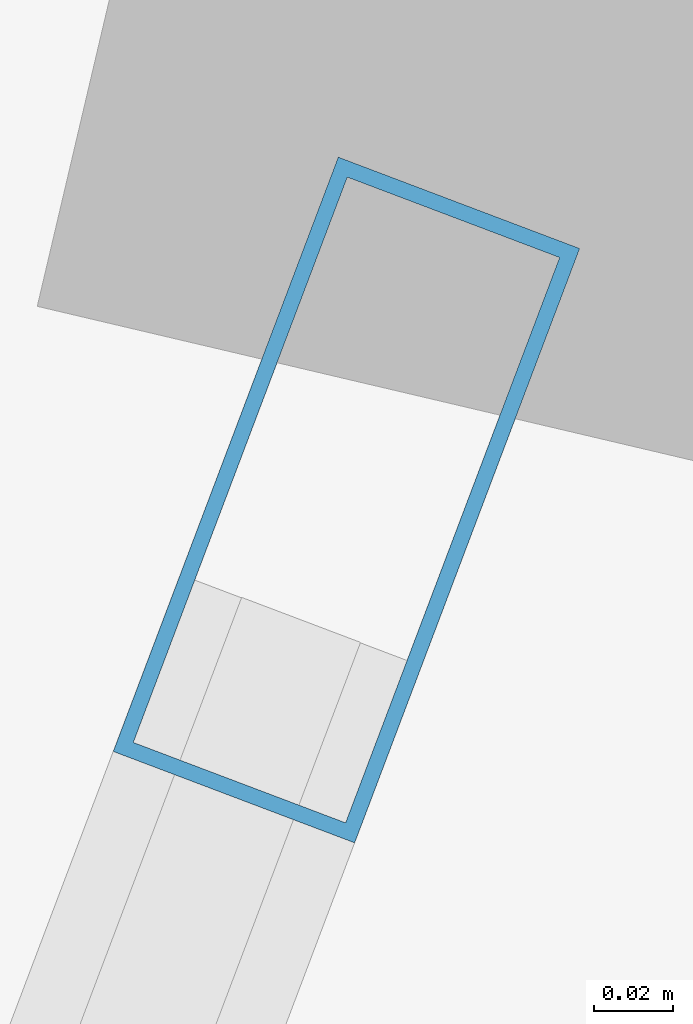
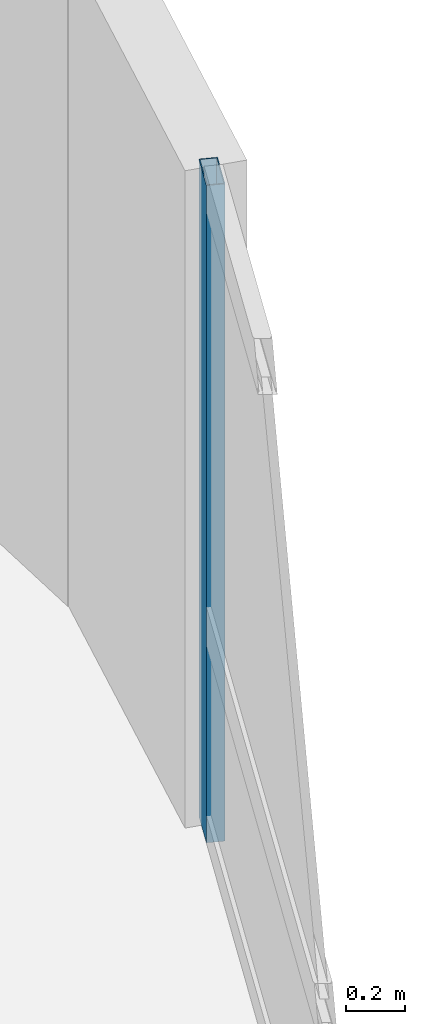
# One storey, part 16 of 25: 1 member, 1 element without a shape of its own.
"""IFC4 building model written with IfcOpenShell, lengths in metres."""

from ifc_helpers import new_model, si_unit, direction, frame, origin, origin_2d, place, context, subcontext, project, spatial, hollow_rectangle, extrude, material, layer, layer_set, material_profile, profile_set, type_object, element, aggregate, save


model = new_model("IFC4")

# Units and contexts
model_context = context("Model", 3, precision=1e-05, world=origin(), true_north=direction((0.0, 1.0)))
body_context = subcontext(model_context, "Body", "Model", "MODEL_VIEW")
ifc_project = project(units=[si_unit("LENGTHUNIT", "METRE"), si_unit("AREAUNIT", "SQUARE_METRE"), si_unit("VOLUMEUNIT", "CUBIC_METRE"), si_unit("PLANEANGLEUNIT", "RADIAN"), si_unit("MASSUNIT", "GRAM", prefix="KILO")], contexts=[model_context])

# Site, building, storey
site_placement = place(None, origin())
site = spatial("IfcSite", under=ifc_project, at=site_placement, CompositionType="ELEMENT")
building_placement = place(site_placement, origin())
building = spatial("IfcBuilding", under=site, at=building_placement, Name="Varnelok Gate Tower", CompositionType="ELEMENT")
storey_placement = place(building_placement, frame((0.0, 0.0, 91.0)))
storey = spatial("IfcBuildingStorey", under=building, at=storey_placement, Name="L22", CompositionType="ELEMENT", Elevation=91.0)

# Curtain wall, member
ifc_material = material(Name="Anodized Aluminum Alloy 6063-T6", Category="aluminium")
ifc_layer = layer(ifc_material, 0.179931640625)
ifc_layer_set = layer_set([ifc_layer], Name="Anodized Aluminum Alloy 6063-T6")
curtain_wall_type = type_object("IfcCurtainWallType", Name="CW3-HOTEL-VISION", PredefinedType="USERDEFINED", material=ifc_layer_set)
curtain_wall_placement = place(storey_placement, origin())
curtain_wall = element("IfcCurtainWall", 1, at=curtain_wall_placement, inside=storey, type_object=curtain_wall_type, Name="L22 East End Vision Curtain Wall", ObjectType="UNITISED CURTAIN WALL", PredefinedType="USERDEFINED")
ifc_material_profile = material_profile(ifc_material, hollow_rectangle(XDim=0.06494140625, YDim=0.159912109375, WallThickness=0.00390625, at=origin_2d()), Name="ALU160X65X4")
ifc_profile_set = profile_set([ifc_material_profile], Name="Anodized Aluminum Alloy 6063-T6")
member_type = type_object("IfcMemberType", Name="CW-MULL-160", PredefinedType="MULLION", material=ifc_profile_set)
member_placement = place(storey_placement, frame((80.443359375, 29.004638671875, 0.0), z_axis=(0.0, 0.0, 1.0), x_axis=(0.935221323688, -0.354063660545, 0.0)))
member = element("IfcMember", 2, at=member_placement, type_object=member_type, Name="CW3 mullion 1", PredefinedType="MULLION", context=body_context, shape_type="SweptSolid", body=[
    extrude(hollow_rectangle(XDim=0.06494140625, YDim=0.159912109375, WallThickness=0.00390625, at=origin_2d()), origin(), (0.0, 0.0, 1.0), 2.72998046875),
])
aggregate(curtain_wall, [member])

save(model, "model.ifc")
